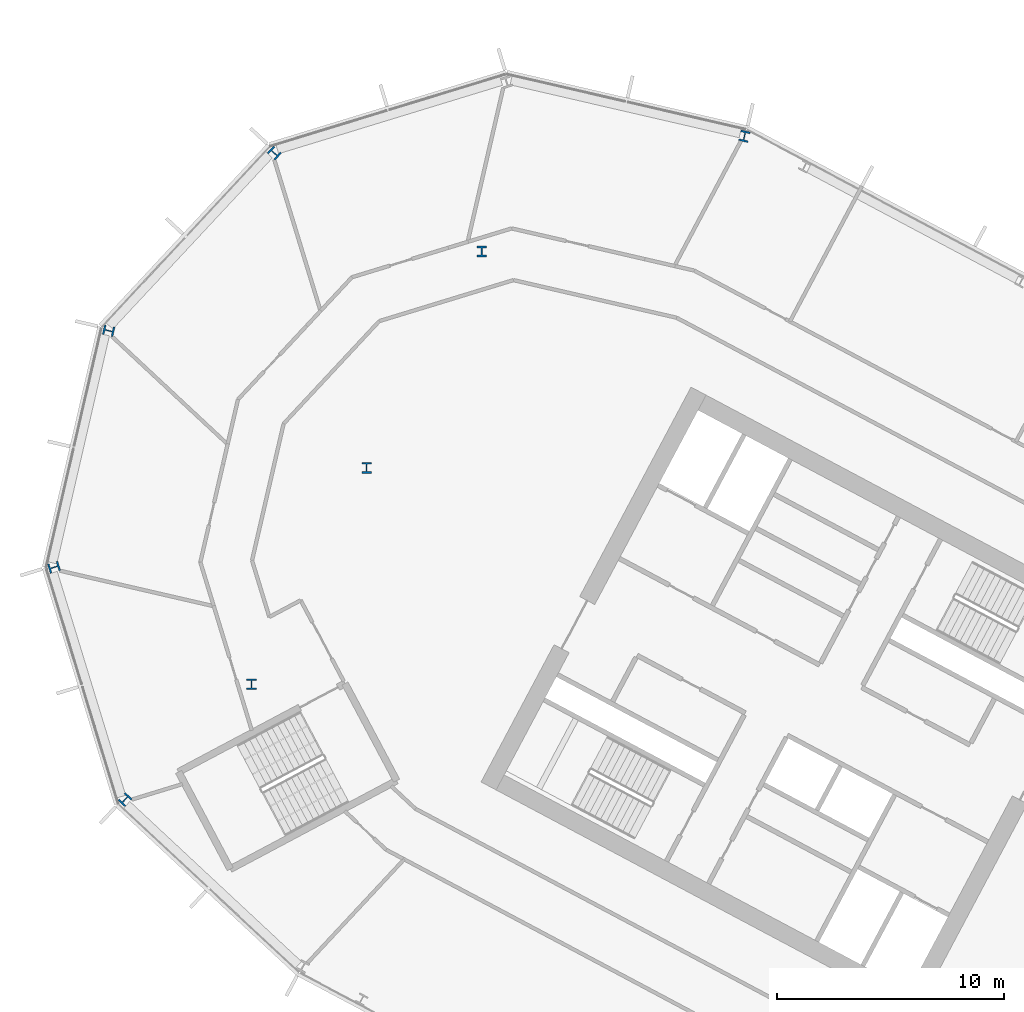
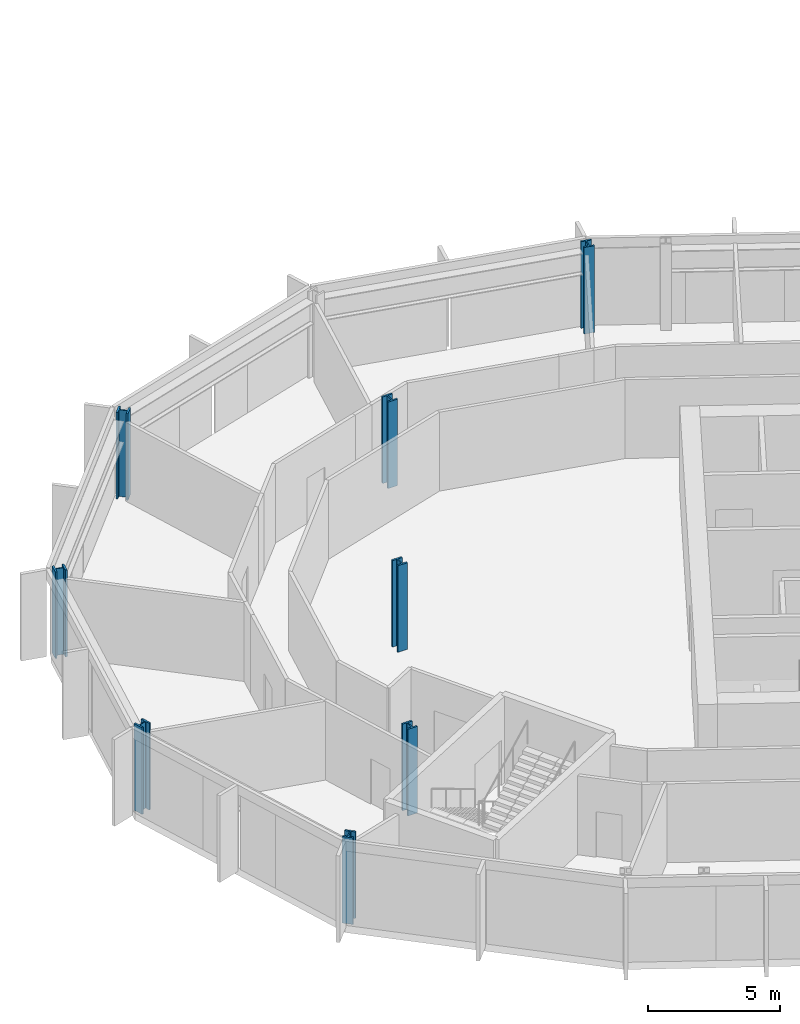
# One storey, part 3 of 28: 8 columns.
"""IFC4 building model written with IfcOpenShell, lengths in metres."""

from ifc_helpers import new_model, si_unit, direction, frame, origin, origin_2d, place, context, subcontext, project, spatial, i_section, extrude, material, material_profile, profile_set, type_object, element, save


model = new_model("IFC4")

# Units and contexts
model_context = context("Model", 3, precision=1e-05, world=origin(), true_north=direction((0.0, 1.0)))
body_context = subcontext(model_context, "Body", "Model", "MODEL_VIEW")
ifc_project = project(units=[si_unit("LENGTHUNIT", "METRE"), si_unit("AREAUNIT", "SQUARE_METRE"), si_unit("VOLUMEUNIT", "CUBIC_METRE"), si_unit("PLANEANGLEUNIT", "RADIAN"), si_unit("MASSUNIT", "GRAM", prefix="KILO")], contexts=[model_context])

# Site, building, storey
site_placement = place(None, origin())
site = spatial("IfcSite", under=ifc_project, at=site_placement, CompositionType="ELEMENT")
building_placement = place(site_placement, origin())
building = spatial("IfcBuilding", under=site, at=building_placement, Name="Cormorant Relay Tower", CompositionType="ELEMENT")
storey_placement = place(building_placement, frame((0.0, 0.0, 162.199951171875)))
storey = spatial("IfcBuildingStorey", under=building, at=storey_placement, Name="L34", CompositionType="ELEMENT", Elevation=162.199951171875)

# Columns
ifc_material = material(Name="Steel ASTM A992 (Fy 345 MPa)", Category="steel")
ifc_material_profile = material_profile(ifc_material, i_section(OverallWidth=0.42431640625, OverallDepth=0.47509765625, WebThickness=0.0478515625, FlangeThickness=0.0771484375, FilletRadius=0.014892578125, at=origin_2d()), Name="W360x634")
ifc_profile_set = profile_set([ifc_material_profile], Name="Steel ASTM A992 (Fy 345 MPa)")
column_type = type_object("IfcColumnType", Name="Column W360x634", PredefinedType="COLUMN", material=ifc_profile_set)
for number, where, z_axis, x_axis, name in (
    (1, (-57.261962890625, 10.173095703125, 0.0), (0.0, 0.0, 1.0), (0.731353701619, -0.681998360062, 0.0), "Column L34-022"),
    (2, (-51.68994140625, 15.251953125, 0.0), (0.0, 0.0, 1.0), (1.0, 0.0, 0.0), "Column L34-028"),
    (3, (-60.389892578125, 20.405029296875, 0.0), (0.0, 0.0, 1.0), (0.292371704723, -0.956304755963, 0.0), "Column L34-030"),
    (4, (-46.6201171875, 24.7880859375, 0.0), (0.0, 0.0, 1.0), (1.0, 0.0, 0.0), "Column L34-033"),
    (5, (-57.98291015625, 30.830078125, 0.0), (0.0, 0.0, 1.0), (-0.224951054344, -0.974370064785, 0.0), "Column L34-037"),
    (6, (-41.549072265625, 34.323974609375, 0.0), (0.0, 0.0, 1.0), (1.0, 0.0, 0.0), "Column L34-041"),
    (7, (-50.68603515625, 38.655029296875, 0.0), (0.0, 0.0, 1.0), (-0.681998360062, -0.731353701619, 0.0), "Column L34-045"),
    (8, (-29.97509765625, 39.39599609375, 0.0), (0.0, 0.0, 1.0), (-0.974370064785, 0.224951054344, 0.0), "Column L34-046"),
):
    element("IfcColumn", number, at=place(storey_placement, frame(where, z_axis=z_axis, x_axis=x_axis)), inside=storey, type_object=column_type, Name=name, PredefinedType="COLUMN", context=body_context, shape_type="SweptSolid", body=[
        extrude(i_section(OverallWidth=0.42431640625, OverallDepth=0.47509765625, WebThickness=0.0478515625, FlangeThickness=0.0771484375, FilletRadius=0.014892578125, at=origin_2d()), origin(), (0.0, 0.0, 1.0), 4.0),
    ])

save(model, "model.ifc")
